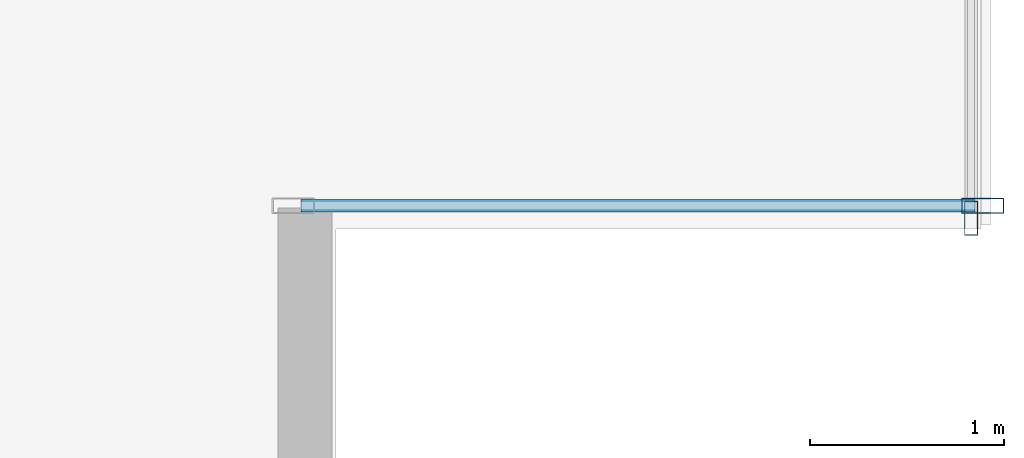
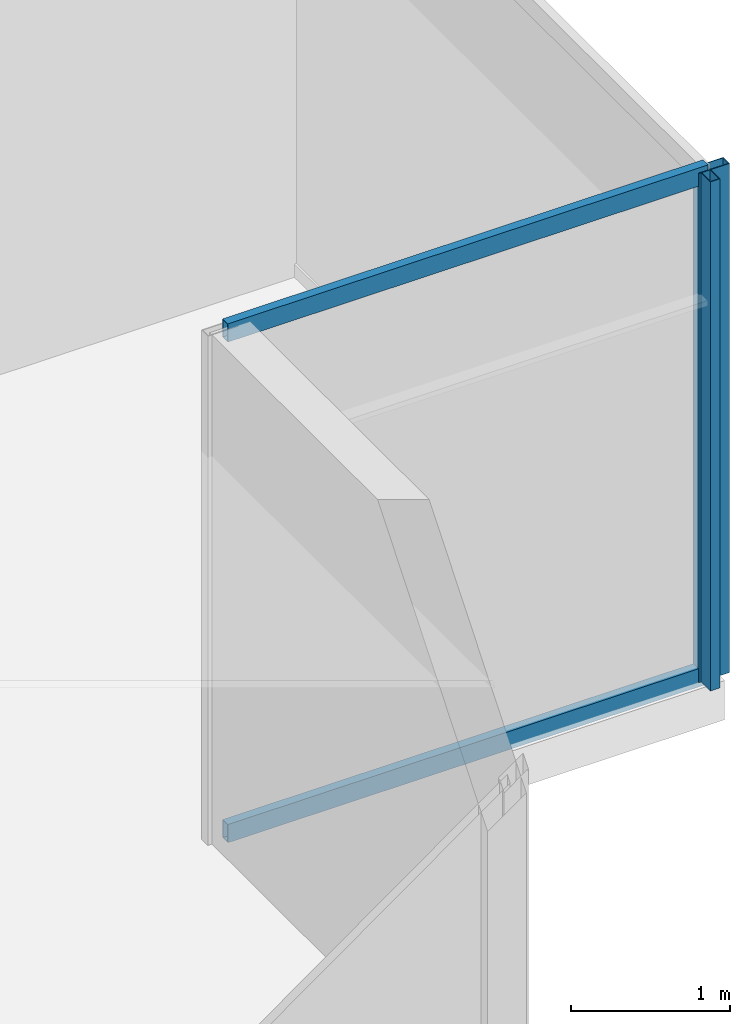
# One storey, part 14 of 32: 4 members, 2 elements without a shape of their own.
"""IFC4 building model written with IfcOpenShell, lengths in metres."""

from ifc_helpers import new_model, si_unit, direction, frame, origin, origin_2d, place, context, subcontext, project, spatial, hollow_rectangle, extrude, source, transform, mapped, material, layer, layer_set, material_profile, profile_set, type_object, type_shapes, element, aggregate, save


model = new_model("IFC4")

# Units and contexts
model_context = context("Model", 3, precision=1e-05, world=origin(), true_north=direction((0.0, 1.0)))
body_context = subcontext(model_context, "Body", "Model", "MODEL_VIEW")
ifc_project = project(units=[si_unit("LENGTHUNIT", "METRE"), si_unit("AREAUNIT", "SQUARE_METRE"), si_unit("VOLUMEUNIT", "CUBIC_METRE"), si_unit("PLANEANGLEUNIT", "RADIAN"), si_unit("MASSUNIT", "GRAM", prefix="KILO")], contexts=[model_context])

# Site, building, storey
site_placement = place(None, origin())
site = spatial("IfcSite", under=ifc_project, at=site_placement, CompositionType="ELEMENT")
building_placement = place(site_placement, origin())
building = spatial("IfcBuilding", under=site, at=building_placement, Name="Haelvirn Gate Laboratories", CompositionType="ELEMENT")
storey_placement = place(building_placement, frame((0.0, 0.0, 301.800048828125)))
storey = spatial("IfcBuildingStorey", under=building, at=storey_placement, Name="L72", CompositionType="ELEMENT", Elevation=301.800048828125)

# Curtain wall, member
ifc_material_1 = material(Name="Anodised bronze unitised aluminium & triple low-E glass", Category="aluminium")
ifc_layer_1 = layer(ifc_material_1, 0.176025390625, Name="CW-SYS-4")
ifc_layer_set_1 = layer_set([ifc_layer_1], Name="Anodised bronze unitised aluminium & triple low-E glass")
curtain_wall_type_1 = type_object("IfcCurtainWallType", Name="CW-SYS-4", PredefinedType="NOTDEFINED", material=ifc_layer_set_1)
curtain_wall_1_placement = place(storey_placement, origin())
curtain_wall_1 = element("IfcCurtainWall", 1, at=curtain_wall_1_placement, inside=storey, type_object=curtain_wall_type_1, Name="L72 Unitised Curtain Wall CW-L72-P0-E07", PredefinedType="NOTDEFINED")
ifc_material_2 = material(Name="Extruded aluminium 6063-T6 (anodised bronze)", Category="aluminium")
ifc_material_profile_1 = material_profile(ifc_material_2, hollow_rectangle(XDim=0.070068359375, YDim=0.179931640625, WallThickness=0.0048828125, at=origin_2d()), Name="CWM-180x70x5")
ifc_profile_set_1 = profile_set([ifc_material_profile_1], Name="Extruded aluminium 6063-T6 (anodised bronze)")
member_type_1 = type_object("IfcMemberType", Name="CWM-T180", PredefinedType="MULLION", material=ifc_profile_set_1)
shared_shape_1 = source(origin(), body_context, "Body", "SweptSolid", [
    extrude(hollow_rectangle(XDim=0.070068359375, YDim=0.179931640625, WallThickness=0.0048828125, at=origin_2d()), origin(), (0.0, 0.0, 1.0), 3.89990234375),
])
type_shapes(member_type_1, [shared_shape_1])
member_1_placement = place(storey_placement, frame((68.89990234375, 7.135009765625, 0.0), z_axis=(0.0, 0.0, 1.0), x_axis=(-1.0, 0.0, 0.0)))
member_1 = element("IfcMember", 2, at=member_1_placement, type_object=member_type_1, Name="CW4 mullion 1", PredefinedType="MULLION", context=body_context, shape_type="MappedRepresentation", body=[
    mapped(shared_shape_1, transform((0.0, 0.0, 0.0), scale=1.0)),
])
aggregate(curtain_wall_1, [member_1])

# Curtain wall, members
ifc_layer_2 = layer(ifc_material_1, 0.181884765625, Name="CW-SYS-5")
ifc_layer_set_2 = layer_set([ifc_layer_2], Name="Anodised bronze unitised aluminium & triple low-E glass")
curtain_wall_type_2 = type_object("IfcCurtainWallType", Name="CW-SYS-5", PredefinedType="NOTDEFINED", material=ifc_layer_set_2)
curtain_wall_2_placement = place(storey_placement, origin())
curtain_wall_2 = element("IfcCurtainWall", 3, at=curtain_wall_2_placement, inside=storey, type_object=curtain_wall_type_2, Name="L72 Unitised Curtain Wall CW-L72-P0-E06-1", PredefinedType="NOTDEFINED")
ifc_material_profile_2 = material_profile(ifc_material_2, hollow_rectangle(XDim=0.080078125, YDim=0.219970703125, WallThickness=0.006103515625, at=origin_2d()), Name="CWM-220x80x6")
ifc_profile_set_2 = profile_set([ifc_material_profile_2], Name="Extruded aluminium 6063-T6 (anodised bronze)")
member_type_2 = type_object("IfcMemberType", Name="CWM-T220", PredefinedType="MULLION", material=ifc_profile_set_2)
shared_shape_2 = source(origin(), body_context, "Body", "SweptSolid", [
    extrude(hollow_rectangle(XDim=0.080078125, YDim=0.219970703125, WallThickness=0.006103515625, at=origin_2d()), origin(), (0.0, 0.0, 1.0), 3.89990234375),
])
type_shapes(member_type_2, [shared_shape_2])
member_2_placement = place(storey_placement, frame((68.9599609375, 7.199951171875, 0.0), z_axis=(0.0, 0.0, 1.0), x_axis=(0.0, 1.0, 0.0)))
member_2 = element("IfcMember", 4, at=member_2_placement, type_object=member_type_2, Name="CW5 mullion 2", PredefinedType="MULLION", context=body_context, shape_type="MappedRepresentation", body=[
    mapped(shared_shape_2, transform((0.0, 0.0, 0.0), scale=1.0)),
])
ifc_material_profile_3 = material_profile(ifc_material_2, hollow_rectangle(XDim=0.06494140625, YDim=0.139892578125, WallThickness=0.00390625, at=origin_2d()), Name="CWT-140x65x4")
ifc_profile_set_3 = profile_set([ifc_material_profile_3], Name="Extruded aluminium 6063-T6 (anodised bronze)")
member_type_3 = type_object("IfcMemberType", Name="CWT-T140", PredefinedType="USERDEFINED", material=ifc_profile_set_3)
shared_shape_3 = source(origin(), body_context, "Body", "SweptSolid", [
    extrude(hollow_rectangle(XDim=0.06494140625, YDim=0.139892578125, WallThickness=0.00390625, at=origin_2d()), origin(), (0.0, 0.0, 1.0), 3.47998046875),
])
type_shapes(member_type_3, [shared_shape_3])
member_3_placement = place(storey_placement, frame((65.43994140625, 7.199951171875, 0.032470703125), z_axis=(1.0, 0.0, 0.0), x_axis=(0.0, 1.0, 0.0)))
member_3 = element("IfcMember", 5, at=member_3_placement, type_object=member_type_3, Name="CW5 transom 1.1", ObjectType="TRANSOM", PredefinedType="USERDEFINED", context=body_context, shape_type="MappedRepresentation", body=[
    mapped(shared_shape_3, transform((0.0, 0.0, 0.0), scale=1.0)),
])
member_4_placement = place(storey_placement, frame((65.43994140625, 7.199951171875, 3.867431640625), z_axis=(1.0, 0.0, 0.0), x_axis=(0.0, 1.0, 0.0)))
member_4 = element("IfcMember", 6, at=member_4_placement, type_object=member_type_3, Name="CW5 transom 1.2", ObjectType="TRANSOM", PredefinedType="USERDEFINED", context=body_context, shape_type="MappedRepresentation", body=[
    mapped(shared_shape_3, transform((0.0, 0.0, 0.0), scale=1.0)),
])
aggregate(curtain_wall_2, [member_2, member_3, member_4])

save(model, "model.ifc")
